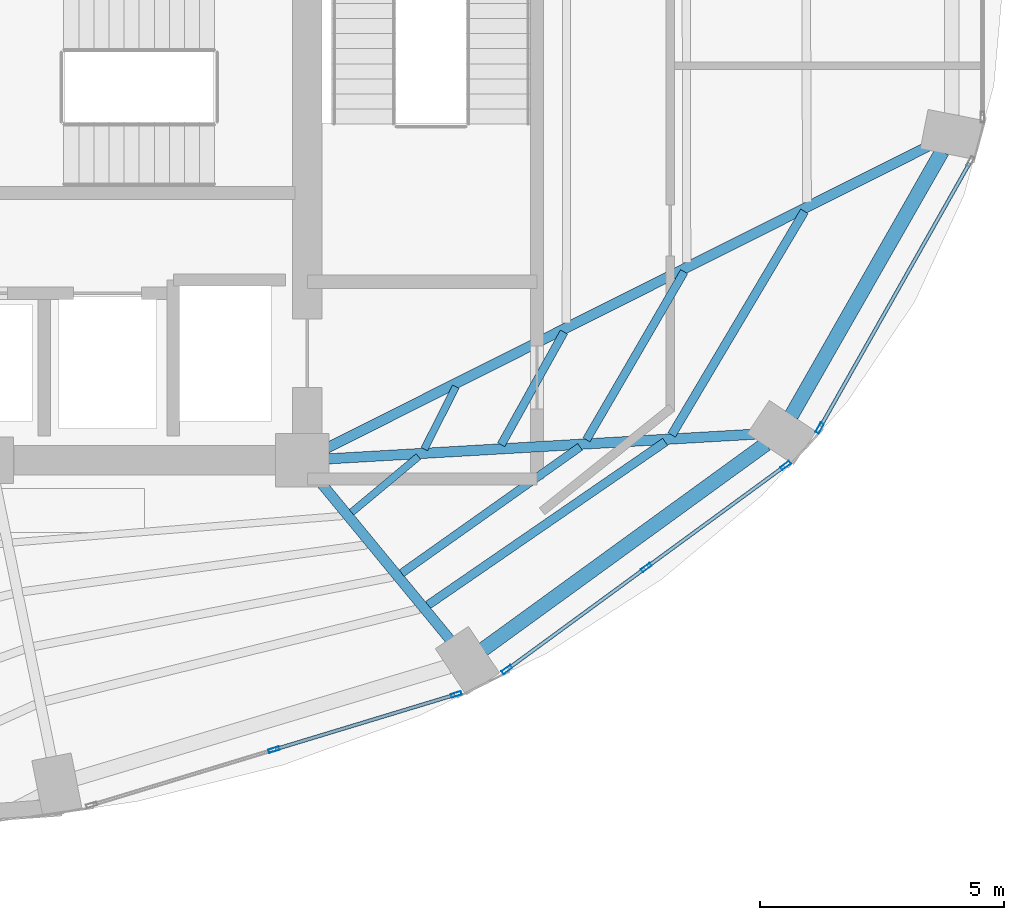
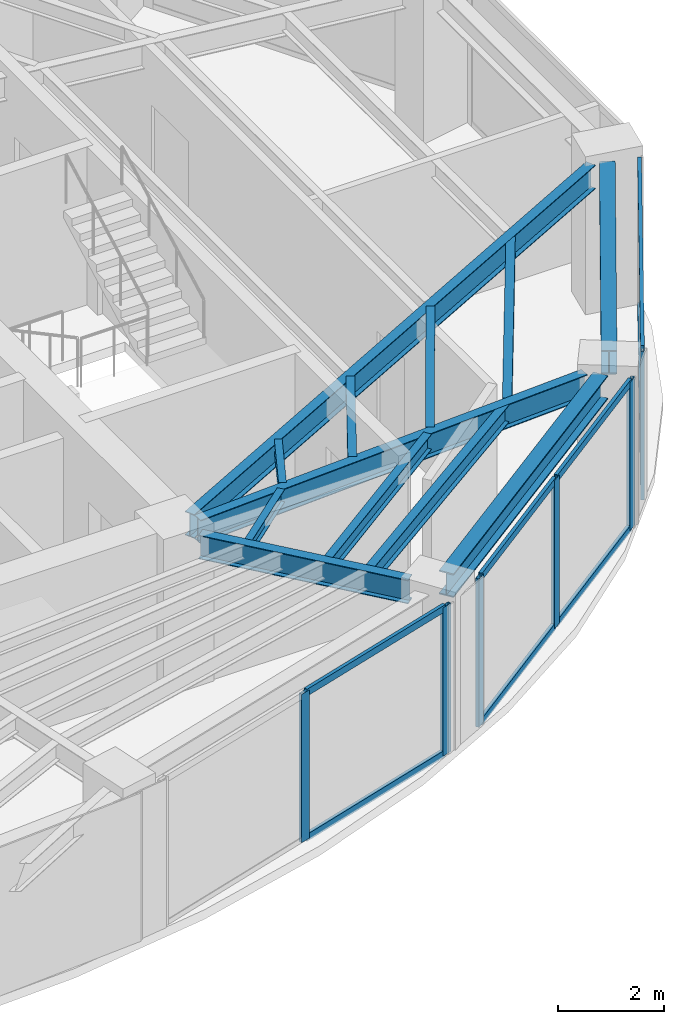
# One storey, part 9 of 20: 14 members, 12 beams, 3 elements without a shape of their own.
"""IFC4 building model written with IfcOpenShell, lengths in metres."""

from ifc_helpers import new_model, si_unit, direction, frame, origin, origin_2d, place, context, subcontext, project, spatial, hollow_rectangle, i_section, extrude, material, layer, layer_set, material_profile, profile_set, type_object, element, aggregate, save


model = new_model("IFC4")

# Units and contexts
model_context = context("Model", 3, precision=1e-05, world=origin(), true_north=direction((0.0, 1.0)))
body_context = subcontext(model_context, "Body", "Model", "MODEL_VIEW")
ifc_project = project(units=[si_unit("LENGTHUNIT", "METRE"), si_unit("AREAUNIT", "SQUARE_METRE"), si_unit("VOLUMEUNIT", "CUBIC_METRE"), si_unit("PLANEANGLEUNIT", "RADIAN"), si_unit("MASSUNIT", "GRAM", prefix="KILO")], contexts=[model_context])

# Site, building, storey
site_placement = place(None, origin())
site = spatial("IfcSite", under=ifc_project, at=site_placement, CompositionType="ELEMENT")
building_placement = place(site_placement, origin())
building = spatial("IfcBuilding", under=site, at=building_placement, Name="Lazwardi Medical Tower", CompositionType="ELEMENT")
storey_placement = place(building_placement, frame((0.0, 0.0, 149.23193359375)))
storey = spatial("IfcBuildingStorey", under=building, at=storey_placement, Name="L38", CompositionType="ELEMENT", Elevation=149.23193359375)

# Beams
ifc_material_1 = material(Name="Steel S355", Category="steel")
ifc_material_profile_1 = material_profile(ifc_material_1, i_section(OverallWidth=0.300048828125, OverallDepth=0.550048828125, WebThickness=0.014892578125, FlangeThickness=0.029052734375, at=origin_2d()), Name="HEB 550")
ifc_profile_set_1 = profile_set([ifc_material_profile_1], Name="Steel S355")
beam_type_1 = type_object("IfcBeamType", Name="BM-RB-Z3", PredefinedType="BEAM", material=ifc_profile_set_1)
beam_1_placement = place(storey_placement, frame((49.310302734375, 16.520751953125, 3.153076171875), z_axis=(0.809127570774, 0.587633026824, 0.0), x_axis=(-0.587633026824, 0.809127570774, 0.0)))
element("IfcBeam", 1, at=beam_1_placement, inside=storey, type_object=beam_type_1, Name="Ring beam RB-04 B02 L38", PredefinedType="BEAM", context=body_context, shape_type="SweptSolid", body=[
    extrude(i_section(OverallWidth=0.300048828125, OverallDepth=0.550048828125, WebThickness=0.014892578125, FlangeThickness=0.029052734375, at=origin_2d()), origin(), (0.0, 0.0, 1.0), 7.170166015625),
])
beam_2_placement = place(storey_placement, frame((55.6337890625, 21.316650390625, 3.153076171875), z_axis=(0.495477752551, 0.868620628771, 0.0), x_axis=(-0.868620628771, 0.495477752551, 0.0)))
element("IfcBeam", 2, at=beam_2_placement, inside=storey, type_object=beam_type_1, Name="Ring beam RB-04 B03 L38", PredefinedType="BEAM", context=body_context, shape_type="SweptSolid", body=[
    extrude(i_section(OverallWidth=0.300048828125, OverallDepth=0.550048828125, WebThickness=0.014892578125, FlangeThickness=0.029052734375, at=origin_2d()), origin(), (0.0, 0.0, 1.0), 6.244384765625),
])
ifc_material_profile_2 = material_profile(ifc_material_1, i_section(OverallWidth=0.2099609375, OverallDepth=0.550048828125, WebThickness=0.010986328125, FlangeThickness=0.01708984375, at=origin_2d()), Name="IPE 550")
ifc_profile_set_2 = profile_set([ifc_material_profile_2], Name="Steel S355")
beam_type_2 = type_object("IfcBeamType", Name="BM-RG-W2", PredefinedType="BEAM", material=ifc_profile_set_2)
beam_3_placement = place(storey_placement, frame((48.630615234375, 16.71826171875, 3.153076171875), z_axis=(-0.635555639966, 0.772055068312, 0.0), x_axis=(-0.772055068312, -0.635555639966, 0.0)))
element("IfcBeam", 3, at=beam_3_placement, inside=storey, type_object=beam_type_2, Name="Radial girder RG-03 R02 L38", PredefinedType="BEAM", context=body_context, shape_type="SweptSolid", body=[
    extrude(i_section(OverallWidth=0.2099609375, OverallDepth=0.550048828125, WebThickness=0.010986328125, FlangeThickness=0.01708984375, at=origin_2d()), origin(), (0.0, 0.0, 1.0), 4.233642578125),
])
beam_4_placement = place(storey_placement, frame((54.87646484375, 20.936767578125, 3.153076171875), z_axis=(-0.998330154646, -0.057765927014, 0.0), x_axis=(0.057765927014, -0.998330154646, 0.0)))
element("IfcBeam", 4, at=beam_4_placement, inside=storey, type_object=beam_type_2, Name="Radial girder RG-03 R03 L38", PredefinedType="BEAM", context=body_context, shape_type="SweptSolid", body=[
    extrude(i_section(OverallWidth=0.2099609375, OverallDepth=0.550048828125, WebThickness=0.010986328125, FlangeThickness=0.01708984375, at=origin_2d()), origin(), (0.0, 0.0, 1.0), 8.757080078125),
])
beam_5_placement = place(storey_placement, frame((58.42529296875, 26.837158203125, 3.153076171875), z_axis=(-0.893740468624, -0.448584412061, 0.0), x_axis=(0.448584412061, -0.893740468624, 0.0)))
element("IfcBeam", 5, at=beam_5_placement, inside=storey, type_object=beam_type_2, Name="Radial girder RG-03 R04 L38", PredefinedType="BEAM", context=body_context, shape_type="SweptSolid", body=[
    extrude(i_section(OverallWidth=0.2099609375, OverallDepth=0.550048828125, WebThickness=0.010986328125, FlangeThickness=0.01708984375, at=origin_2d()), origin(), (0.0, 0.0, 1.0), 13.815185546875),
])
ifc_material_profile_3 = material_profile(ifc_material_1, i_section(OverallWidth=0.179931640625, OverallDepth=0.39990234375, WebThickness=0.008544921875, FlangeThickness=0.013427734375, at=origin_2d()), Name="IPE 400")
ifc_profile_set_3 = profile_set([ifc_material_profile_3], Name="Steel S355")
beam_type_3 = type_object("IfcBeamType", Name="BM-SJ-01", PredefinedType="JOIST", material=ifc_profile_set_3)
beam_6_placement = place(storey_placement, frame((48.1748046875, 17.4287109375, 3.22802734375), z_axis=(0.823932256005, 0.566688307198, 0.0), x_axis=(-0.566688307198, 0.823932256005, 0.0)))
element("IfcBeam", 6, at=beam_6_placement, inside=storey, type_object=beam_type_3, Name="Secondary joist SJ-01 R1 B02 L38", PredefinedType="JOIST", context=body_context, shape_type="SweptSolid", body=[
    extrude(i_section(OverallWidth=0.179931640625, OverallDepth=0.39990234375, WebThickness=0.008544921875, FlangeThickness=0.013427734375, at=origin_2d()), origin(), (0.0, 0.0, 1.0), 5.91162109375),
])
beam_7_placement = place(storey_placement, frame((53.17919921875, 20.921630859375, 3.22802734375), z_axis=(0.510569396963, 0.859836548935, 0.0), x_axis=(-0.859836548935, 0.510569396963, 0.0)))
element("IfcBeam", 7, at=beam_7_placement, inside=storey, type_object=beam_type_3, Name="Secondary joist SJ-01 R1 B03 L38", PredefinedType="JOIST", context=body_context, shape_type="SweptSolid", body=[
    extrude(i_section(OverallWidth=0.179931640625, OverallDepth=0.39990234375, WebThickness=0.008544921875, FlangeThickness=0.013427734375, at=origin_2d()), origin(), (0.0, 0.0, 1.0), 5.33837890625),
])
ifc_material_profile_4 = material_profile(ifc_material_1, i_section(OverallWidth=0.169921875, OverallDepth=0.360107421875, WebThickness=0.008056640625, FlangeThickness=0.0126953125, at=origin_2d()), Name="IPE 360")
ifc_profile_set_4 = profile_set([ifc_material_profile_4], Name="Steel S355")
beam_type_4 = type_object("IfcBeamType", Name="BM-SJ-02", PredefinedType="JOIST", material=ifc_profile_set_4)
beam_8_placement = place(storey_placement, frame((47.635986328125, 18.08349609375, 3.248046875), z_axis=(0.816108950798, 0.577898070967, 0.0), x_axis=(-0.577898070967, 0.816108950798, 0.0)))
element("IfcBeam", 8, at=beam_8_placement, inside=storey, type_object=beam_type_4, Name="Secondary joist SJ-02 R2 B02 L38", PredefinedType="JOIST", context=body_context, shape_type="SweptSolid", body=[
    extrude(i_section(OverallWidth=0.169921875, OverallDepth=0.360107421875, WebThickness=0.008056640625, FlangeThickness=0.0126953125, at=origin_2d()), origin(), (0.0, 0.0, 1.0), 4.487060546875),
])
beam_9_placement = place(storey_placement, frame((51.4296875, 20.82080078125, 3.248046875), z_axis=(0.502665102216, 0.864481228839, 0.0), x_axis=(-0.864481228839, 0.502665102216, 0.0)))
element("IfcBeam", 9, at=beam_9_placement, inside=storey, type_object=beam_type_4, Name="Secondary joist SJ-02 R2 B03 L38", PredefinedType="JOIST", context=body_context, shape_type="SweptSolid", body=[
    extrude(i_section(OverallWidth=0.169921875, OverallDepth=0.360107421875, WebThickness=0.008056640625, FlangeThickness=0.0126953125, at=origin_2d()), origin(), (0.0, 0.0, 1.0), 3.991943359375),
])
beam_10_placement = place(storey_placement, frame((49.6796875, 20.720703125, 3.248046875), z_axis=(0.487099444348, 0.87334651274, 0.0), x_axis=(-0.87334651274, 0.487099444348, 0.0)))
element("IfcBeam", 10, at=beam_10_placement, inside=storey, type_object=beam_type_4, Name="Secondary joist SJ-02 R3 B03 L38", PredefinedType="JOIST", context=body_context, shape_type="SweptSolid", body=[
    extrude(i_section(OverallWidth=0.169921875, OverallDepth=0.360107421875, WebThickness=0.008056640625, FlangeThickness=0.0126953125, at=origin_2d()), origin(), (0.0, 0.0, 1.0), 2.64599609375),
])
ifc_material_profile_5 = material_profile(ifc_material_1, i_section(OverallWidth=0.14990234375, OverallDepth=0.300048828125, WebThickness=0.007080078125, FlangeThickness=0.0107421875, at=origin_2d()), Name="IPE 300")
ifc_profile_set_5 = profile_set([ifc_material_profile_5], Name="Steel S355")
beam_type_5 = type_object("IfcBeamType", Name="BM-SJ-03", PredefinedType="JOIST", material=ifc_profile_set_5)
beam_11_placement = place(storey_placement, frame((46.608642578125, 19.331787109375, 3.278076171875), z_axis=(0.767437193893, 0.641124132621, 0.0), x_axis=(-0.641124132621, 0.767437193893, 0.0)))
element("IfcBeam", 11, at=beam_11_placement, inside=storey, type_object=beam_type_5, Name="Secondary joist SJ-03 R4 B02 L38", PredefinedType="JOIST", context=body_context, shape_type="SweptSolid", body=[
    extrude(i_section(OverallWidth=0.14990234375, OverallDepth=0.300048828125, WebThickness=0.007080078125, FlangeThickness=0.0107421875, at=origin_2d()), origin(), (0.0, 0.0, 1.0), 1.787841796875),
])
beam_12_placement = place(storey_placement, frame((48.1025390625, 20.631591796875, 3.278076171875), z_axis=(0.450406075332, 0.892823816497, 0.0), x_axis=(-0.892823816497, 0.450406075332, 0.0)))
element("IfcBeam", 12, at=beam_12_placement, inside=storey, type_object=beam_type_5, Name="Secondary joist SJ-03 R4 B03 L38", PredefinedType="JOIST", context=body_context, shape_type="SweptSolid", body=[
    extrude(i_section(OverallWidth=0.14990234375, OverallDepth=0.300048828125, WebThickness=0.007080078125, FlangeThickness=0.0107421875, at=origin_2d()), origin(), (0.0, 0.0, 1.0), 1.4365234375),
])

# Curtain wall, members
ifc_material_2 = material(Name="Anodised bronze aluminium and solar control glazing", Category="aluminium")
ifc_layer = layer(ifc_material_2, 0.195068359375)
ifc_layer_set = layer_set([ifc_layer], Name="Anodised bronze aluminium and solar control glazing")
curtain_wall_type = type_object("IfcCurtainWallType", Name="CW-SYS-03", PredefinedType="NOTDEFINED", material=ifc_layer_set)
curtain_wall_1_placement = place(storey_placement, origin())
curtain_wall_1 = element("IfcCurtainWall", 13, at=curtain_wall_1_placement, inside=storey, type_object=curtain_wall_type, Name="L38 Unitised bronze curtain wall CW-03", PredefinedType="NOTDEFINED")
ifc_material_3 = material(Name="Anodised bronze aluminium", Category="aluminium")
ifc_material_profile_6 = material_profile(ifc_material_3, hollow_rectangle(XDim=0.074951171875, YDim=0.219970703125, WallThickness=0.00390625, at=origin_2d()), Name="ALU-MULLION 220x75x4")
ifc_profile_set_6 = profile_set([ifc_material_profile_6], Name="Anodised bronze aluminium")
member_type_1 = type_object("IfcMemberType", Name="CW-MUL-01", PredefinedType="MULLION", material=ifc_profile_set_6)
member_1_placement = place(storey_placement, frame((45.01513671875, 14.461181640625, 0.0), z_axis=(0.0, 0.0, 1.0), x_axis=(-0.290280785441, 0.956941516292, 0.0)))
member_1 = element("IfcMember", 14, at=member_1_placement, type_object=member_type_1, Name="CW-03 mullion 2", PredefinedType="MULLION", context=body_context, shape_type="SweptSolid", body=[
    extrude(hollow_rectangle(XDim=0.074951171875, YDim=0.219970703125, WallThickness=0.00390625, at=origin_2d()), origin(), (0.0, 0.0, 1.0), 3.427978515625),
])
member_2_placement = place(storey_placement, frame((48.758056640625, 15.5966796875, 0.0), z_axis=(0.0, 0.0, 1.0), x_axis=(-0.290280785441, 0.956941516292, 0.0)))
member_2 = element("IfcMember", 15, at=member_2_placement, type_object=member_type_1, Name="CW-03 mullion 3", PredefinedType="MULLION", context=body_context, shape_type="SweptSolid", body=[
    extrude(hollow_rectangle(XDim=0.074951171875, YDim=0.219970703125, WallThickness=0.00390625, at=origin_2d()), origin(), (0.0, 0.0, 1.0), 3.427978515625),
])

curtain_wall_2_placement = place(storey_placement, origin())
curtain_wall_2 = element("IfcCurtainWall", 16, at=curtain_wall_2_placement, inside=storey, type_object=curtain_wall_type, Name="L38 Unitised bronze curtain wall CW-03", PredefinedType="NOTDEFINED")
member_3_placement = place(storey_placement, frame((49.795654296875, 16.105224609375, 0.0), z_axis=(0.0, 0.0, 1.0), x_axis=(-0.590833862635, 0.806793249082, 0.0)))
member_3 = element("IfcMember", 17, at=member_3_placement, type_object=member_type_1, Name="CW-03 mullion 1", PredefinedType="MULLION", context=body_context, shape_type="SweptSolid", body=[
    extrude(hollow_rectangle(XDim=0.074951171875, YDim=0.219970703125, WallThickness=0.00390625, at=origin_2d()), origin(), (0.0, 0.0, 1.0), 3.427978515625),
])
member_4_placement = place(storey_placement, frame((52.65771484375, 18.201171875, 0.0), z_axis=(0.0, 0.0, 1.0), x_axis=(-0.590833862635, 0.806793249082, 0.0)))
member_4 = element("IfcMember", 18, at=member_4_placement, type_object=member_type_1, Name="CW-03 mullion 2", PredefinedType="MULLION", context=body_context, shape_type="SweptSolid", body=[
    extrude(hollow_rectangle(XDim=0.074951171875, YDim=0.219970703125, WallThickness=0.00390625, at=origin_2d()), origin(), (0.0, 0.0, 1.0), 3.427978515625),
])
member_5_placement = place(storey_placement, frame((55.519775390625, 20.297119140625, 0.0), z_axis=(0.0, 0.0, 1.0), x_axis=(-0.590833862635, 0.806793249082, 0.0)))
member_5 = element("IfcMember", 19, at=member_5_placement, type_object=member_type_1, Name="CW-03 mullion 3", PredefinedType="MULLION", context=body_context, shape_type="SweptSolid", body=[
    extrude(hollow_rectangle(XDim=0.074951171875, YDim=0.219970703125, WallThickness=0.00390625, at=origin_2d()), origin(), (0.0, 0.0, 1.0), 3.427978515625),
])

# Curtain wall, member
curtain_wall_3_placement = place(storey_placement, origin())
curtain_wall_3 = element("IfcCurtainWall", 20, at=curtain_wall_3_placement, inside=storey, type_object=curtain_wall_type, Name="L38 Unitised bronze curtain wall CW-03", PredefinedType="NOTDEFINED")
member_6_placement = place(storey_placement, frame((56.217529296875, 21.063232421875, 0.0), z_axis=(0.0, 0.0, 1.0), x_axis=(-0.870418989303, 0.492311672683, 0.0)))
member_6 = element("IfcMember", 21, at=member_6_placement, type_object=member_type_1, Name="CW-03 mullion 1", PredefinedType="MULLION", context=body_context, shape_type="SweptSolid", body=[
    extrude(hollow_rectangle(XDim=0.074951171875, YDim=0.219970703125, WallThickness=0.00390625, at=origin_2d()), origin(), (0.0, 0.0, 1.0), 3.427978515625),
])

# Member
ifc_material_profile_7 = material_profile(ifc_material_3, hollow_rectangle(XDim=0.074951171875, YDim=0.159912109375, WallThickness=0.00390625, at=origin_2d()), Name="ALU-TRANSOM 160x75x4")
ifc_profile_set_7 = profile_set([ifc_material_profile_7], Name="Anodised bronze aluminium")
member_type_2 = type_object("IfcMemberType", Name="CW-TRN-01", PredefinedType="USERDEFINED", material=ifc_profile_set_7)
member_7_placement = place(storey_placement, frame((45.051025390625, 14.47216796875, 0.03759765625), z_axis=(0.956930154175, 0.290318239233, 0.0), x_axis=(-0.290318239233, 0.956930154175, 0.0)))
member_7 = element("IfcMember", 22, at=member_7_placement, type_object=member_type_2, Name="CW-03 transom 2.1", ObjectType="TRANSOM", PredefinedType="USERDEFINED", context=body_context, shape_type="SweptSolid", body=[
    extrude(hollow_rectangle(XDim=0.074951171875, YDim=0.159912109375, WallThickness=0.00390625, at=origin_2d()), origin(), (0.0, 0.0, 1.0), 3.83642578125),
])

member_8_placement = place(storey_placement, frame((45.051025390625, 14.47216796875, 3.390625), z_axis=(0.956930154175, 0.290318239233, 0.0), x_axis=(-0.290318239233, 0.956930154175, 0.0)))
member_8 = element("IfcMember", 23, at=member_8_placement, type_object=member_type_2, Name="CW-03 transom 2.2", ObjectType="TRANSOM", PredefinedType="USERDEFINED", context=body_context, shape_type="SweptSolid", body=[
    extrude(hollow_rectangle(XDim=0.074951171875, YDim=0.159912109375, WallThickness=0.00390625, at=origin_2d()), origin(), (0.0, 0.0, 1.0), 3.83642578125),
])

aggregate(curtain_wall_1, [member_1, member_2, member_7, member_8])

member_9_placement = place(storey_placement, frame((49.825927734375, 16.127197265625, 0.03759765625), z_axis=(0.806773646358, 0.590860629542, 0.0), x_axis=(-0.590860629542, 0.806773646358, 0.0)))
member_9 = element("IfcMember", 24, at=member_9_placement, type_object=member_type_2, Name="CW-03 transom 1.1", ObjectType="TRANSOM", PredefinedType="USERDEFINED", context=body_context, shape_type="SweptSolid", body=[
    extrude(hollow_rectangle(XDim=0.074951171875, YDim=0.159912109375, WallThickness=0.00390625, at=origin_2d()), origin(), (0.0, 0.0, 1.0), 3.472412109375),
])

member_10_placement = place(storey_placement, frame((49.825927734375, 16.127197265625, 3.390625), z_axis=(0.806773646358, 0.590860629542, 0.0), x_axis=(-0.590860629542, 0.806773646358, 0.0)))
member_10 = element("IfcMember", 25, at=member_10_placement, type_object=member_type_2, Name="CW-03 transom 1.2", ObjectType="TRANSOM", PredefinedType="USERDEFINED", context=body_context, shape_type="SweptSolid", body=[
    extrude(hollow_rectangle(XDim=0.074951171875, YDim=0.159912109375, WallThickness=0.00390625, at=origin_2d()), origin(), (0.0, 0.0, 1.0), 3.472412109375),
])

member_11_placement = place(storey_placement, frame((52.68798828125, 18.22314453125, 0.03759765625), z_axis=(0.806773646358, 0.590860629542, 0.0), x_axis=(-0.590860629542, 0.806773646358, 0.0)))
member_11 = element("IfcMember", 26, at=member_11_placement, type_object=member_type_2, Name="CW-03 transom 2.1", ObjectType="TRANSOM", PredefinedType="USERDEFINED", context=body_context, shape_type="SweptSolid", body=[
    extrude(hollow_rectangle(XDim=0.074951171875, YDim=0.159912109375, WallThickness=0.00390625, at=origin_2d()), origin(), (0.0, 0.0, 1.0), 3.472412109375),
])

member_12_placement = place(storey_placement, frame((52.68798828125, 18.22314453125, 3.390625), z_axis=(0.806773646358, 0.590860629542, 0.0), x_axis=(-0.590860629542, 0.806773646358, 0.0)))
member_12 = element("IfcMember", 27, at=member_12_placement, type_object=member_type_2, Name="CW-03 transom 2.2", ObjectType="TRANSOM", PredefinedType="USERDEFINED", context=body_context, shape_type="SweptSolid", body=[
    extrude(hollow_rectangle(XDim=0.074951171875, YDim=0.159912109375, WallThickness=0.00390625, at=origin_2d()), origin(), (0.0, 0.0, 1.0), 3.472412109375),
])

aggregate(curtain_wall_2, [member_3, member_4, member_5, member_9, member_10, member_11, member_12])

member_13_placement = place(storey_placement, frame((56.236083984375, 21.095947265625, 0.03759765625), z_axis=(0.492322860598, 0.870412661289, 0.0), x_axis=(-0.870412661289, 0.492322860598, 0.0)))
member_13 = element("IfcMember", 28, at=member_13_placement, type_object=member_type_2, Name="CW-03 transom 1.1", ObjectType="TRANSOM", PredefinedType="USERDEFINED", context=body_context, shape_type="SweptSolid", body=[
    extrude(hollow_rectangle(XDim=0.074951171875, YDim=0.159912109375, WallThickness=0.00390625, at=origin_2d()), origin(), (0.0, 0.0, 1.0), 6.20849609375),
])

member_14_placement = place(storey_placement, frame((56.236083984375, 21.095947265625, 3.390625), z_axis=(0.492322860598, 0.870412661289, 0.0), x_axis=(-0.870412661289, 0.492322860598, 0.0)))
member_14 = element("IfcMember", 29, at=member_14_placement, type_object=member_type_2, Name="CW-03 transom 1.2", ObjectType="TRANSOM", PredefinedType="USERDEFINED", context=body_context, shape_type="SweptSolid", body=[
    extrude(hollow_rectangle(XDim=0.074951171875, YDim=0.159912109375, WallThickness=0.00390625, at=origin_2d()), origin(), (0.0, 0.0, 1.0), 6.20849609375),
])

aggregate(curtain_wall_3, [member_6, member_13, member_14])

save(model, "model.ifc")
